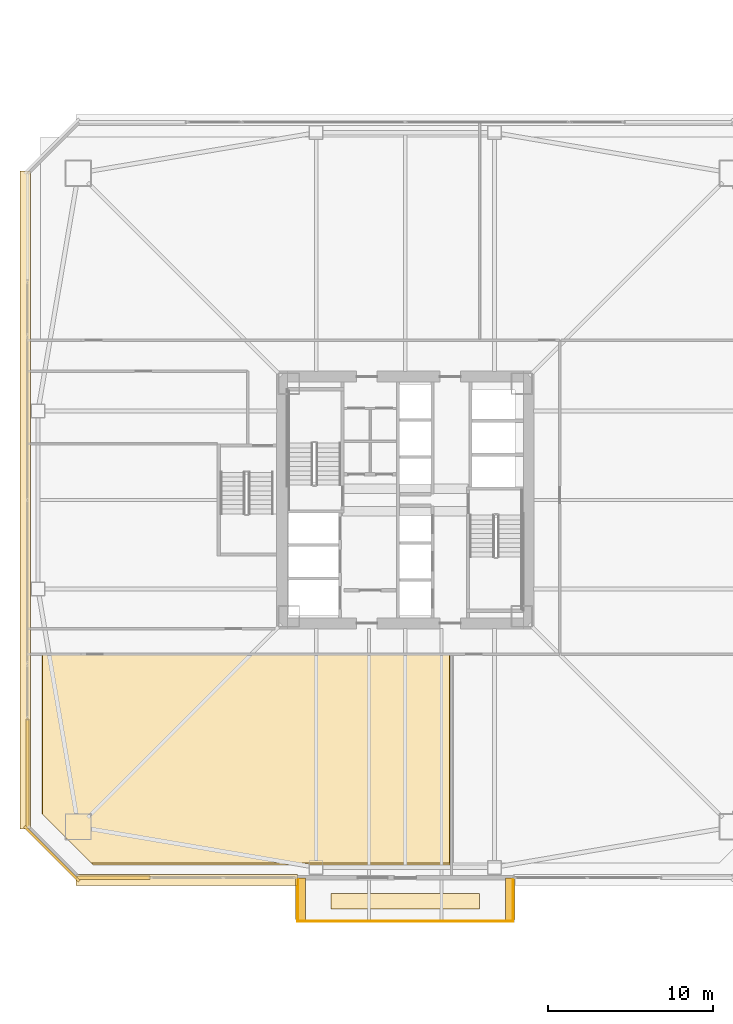
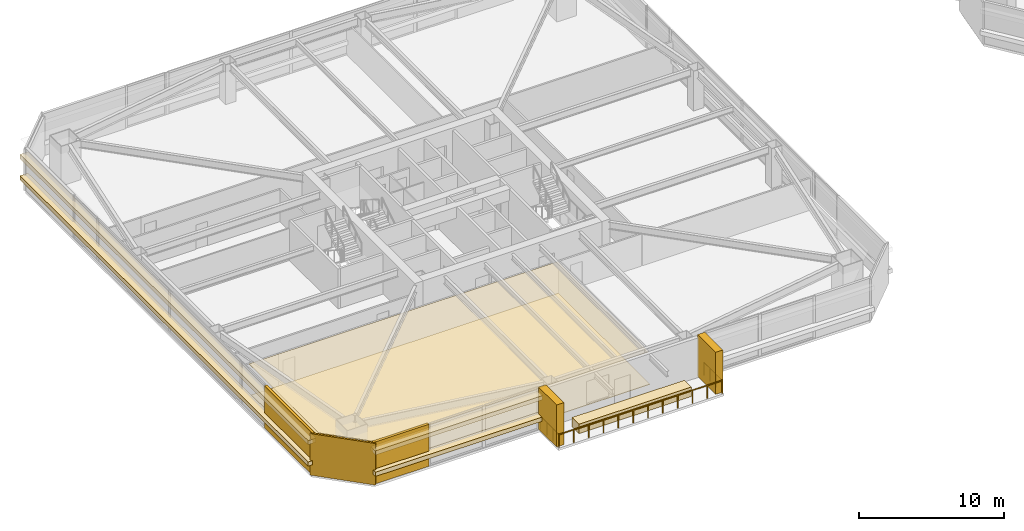
# One storey, part 41 of 46: 12 coverings, 3 railings.
"""IFC4 building model written with IfcOpenShell, lengths in metres."""

from ifc_helpers import new_model, si_unit, direction, frame, origin, origin_2d, place, context, subcontext, project, spatial, polyline, rectangle, outline, extrude, material, layer, layer_set, type_object, element, save


model = new_model("IFC4")

# Units and contexts
model_context = context("Model", 3, precision=1e-05, world=origin(), true_north=direction((0.0, 1.0)))
body_context = subcontext(model_context, "Body", "Model", "MODEL_VIEW")
ifc_project = project(units=[si_unit("LENGTHUNIT", "METRE"), si_unit("AREAUNIT", "SQUARE_METRE"), si_unit("VOLUMEUNIT", "CUBIC_METRE"), si_unit("PLANEANGLEUNIT", "RADIAN"), si_unit("MASSUNIT", "GRAM", prefix="KILO")], contexts=[model_context])

# Site, building, storey
site_placement = place(None, origin())
site = spatial("IfcSite", under=ifc_project, at=site_placement, CompositionType="ELEMENT")
building_placement = place(site_placement, origin())
building = spatial("IfcBuilding", under=site, at=building_placement, Name="Tashvorn Skyway Center", CompositionType="ELEMENT")
storey_placement = place(building_placement, frame((0.0, 0.0, 60.10009765625)))
storey = spatial("IfcBuildingStorey", under=building, at=storey_placement, Name="L15", CompositionType="ELEMENT", Elevation=60.10009765625)

# Coverings
ifc_material_1 = material(Name="Precast concrete C40/50", Category="concrete")
ifc_layer_1 = layer(ifc_material_1, 0.199951171875)
ifc_layer_set_1 = layer_set([ifc_layer_1], Name="Precast concrete C40/50")
covering_type_1 = type_object("IfcCoveringType", Name="COV-BRACE-CLAD", PredefinedType="CLADDING", material=ifc_layer_set_1)
covering_1_placement = place(storey_placement, frame((24.333251953125, 9.1201171875, 0.0), z_axis=(0.0, 0.0, 1.0), x_axis=(-1.0, 0.0, 0.0)))
element("IfcCovering", 1, at=covering_1_placement, inside=storey, type_object=covering_type_1, Name="Tower 1 L15 South Curtain Wall R Mega-Brace Cladding Band 1", PredefinedType="CLADDING", context=body_context, shape_type="SweptSolid", body=[
    extrude(rectangle(XDim=4.4267578125, YDim=0.199951171875, at=origin_2d()), origin(), (0.0, 0.0, 1.0), 3.550048828125),
])
covering_2_placement = place(storey_placement, frame((19.1201171875, 15.433349609375, 0.0), z_axis=(0.0, 0.0, 1.0), x_axis=(0.0, 1.0, 0.0)))
element("IfcCovering", 2, at=covering_2_placement, inside=storey, type_object=covering_type_1, Name="Tower 1 L15 West Unitised Curtain Wall Mega-Brace Cladding Band 1", PredefinedType="CLADDING", context=body_context, shape_type="SweptSolid", body=[
    extrude(rectangle(XDim=6.626708984375, YDim=0.199951171875, at=origin_2d()), origin(), (0.0, 0.0, 1.0), 3.550048828125),
])
ifc_material_2 = material(Name="Mineral-fibre acoustic ceiling tile on suspended grid")
ifc_layer_2 = layer(ifc_material_2, 0.02001953125)
ifc_layer_set_2 = layer_set([ifc_layer_2], Name="Mineral-fibre acoustic ceiling tile on suspended grid")
covering_type_2 = type_object("IfcCoveringType", Name="COV-CEIL-20", PredefinedType="CEILING", material=ifc_layer_set_2)
covering_3_placement = place(storey_placement, frame((0.0, 0.0, 2.682861328125)))
element("IfcCovering", 3, at=covering_3_placement, inside=storey, type_object=covering_type_2, Name="Tower 1 L15 Wellness Clinic Acoustic Ceiling", PredefinedType="CEILING", context=body_context, shape_type="SweptSolid", body=[
    extrude(outline(polyline([(20.02001953125, 22.610107421875), (44.679931640625, 22.610107421875), (44.679931640625, 10.02001953125), (22.97998046875, 10.02001953125), (20.02001953125, 12.97998046875), (20.02001953125, 22.610107421875)])), origin(), (0.0, 0.0, 1.0), 0.02001953125),
])
ifc_material_3 = material(Name="Polished Mojave desert-aggregate terrazzo and cover plate")
ifc_layer_3 = layer(ifc_material_3, 0.0400390625)
ifc_layer_set_3 = layer_set([ifc_layer_3], Name="Polished Mojave desert-aggregate terrazzo and cover plate")
covering_type_3 = type_object("IfcCoveringType", Name="COV-FLR-40", PredefinedType="FLOORING", material=ifc_layer_set_3)
covering_4_placement = place(storey_placement, origin())
element("IfcCovering", 4, at=covering_4_placement, inside=storey, type_object=covering_type_3, Name="Tower 1 L15 Wellness Clinic Finish Flooring", PredefinedType="FLOORING", context=body_context, shape_type="SweptSolid", body=[
    extrude(outline(polyline([(23.10009765625, 9.89990234375), (19.97998046875, 13.02001953125), (19.97998046875, 22.570068359375), (44.719970703125, 22.570068359375), (44.719970703125, 9.89990234375), (23.10009765625, 9.89990234375)])), origin(), (0.0, 0.0, 1.0), 0.039794921875),
])
ifc_material_4 = material(Name="Perforated ceramic-coated bronze aluminium solar screen", Category="aluminium")
ifc_layer_4 = layer(ifc_material_4, 0.85009765625)
ifc_layer_set_4 = layer_set([ifc_layer_4], Name="Perforated ceramic-coated bronze aluminium solar screen")
covering_type_4 = type_object("IfcCoveringType", Name="COV-SOLAR-BAND", PredefinedType="CLADDING", material=ifc_layer_set_4)
for number, where, z_axis, x_axis, name in (
    (5, (28.760009765625, 8.97998046875, 0.919921875), (0.0, 0.0, 1.0), (-1.0, 0.0, 0.0), "L15 Perforated Ceramic-Metal Solar Screen Louvre Band South 1"),
    (6, (28.760009765625, 8.97998046875, 2.7197265625), (0.0, 0.0, 1.0), (-1.0, 0.0, 0.0), "L15 Perforated Ceramic-Metal Solar Screen Louvre Band South 2"),
):
    element("IfcCovering", number, at=place(storey_placement, frame(where, z_axis=z_axis, x_axis=x_axis)), inside=storey, type_object=covering_type_4, Name=name, PredefinedType="CLADDING", context=body_context, shape_type="SweptSolid", body=[
        extrude(rectangle(XDim=13.39990234375, YDim=0.639892578125, at=origin_2d()), origin(), (0.0, 0.0, 1.0), 0.360107421875),
    ])
for number, where, z_axis, x_axis, name in (
    (7, (18.97998046875, 32.0, 0.919921875), (0.0, 0.0, 1.0), (0.0, 1.0, 0.0), "L15 Perforated Ceramic-Metal Solar Screen Louvre Band West 1"),
    (8, (18.97998046875, 32.0, 2.7197265625), (0.0, 0.0, 1.0), (0.0, 1.0, 0.0), "L15 Perforated Ceramic-Metal Solar Screen Louvre Band West 2"),
):
    element("IfcCovering", number, at=place(storey_placement, frame(where, z_axis=z_axis, x_axis=x_axis)), inside=storey, type_object=covering_type_4, Name=name, PredefinedType="CLADDING", context=body_context, shape_type="SweptSolid", body=[
        extrude(rectangle(XDim=39.8798828125, YDim=0.639892578125, at=origin_2d()), origin(), (0.0, 0.0, 1.0), 0.360107421875),
    ])
ifc_layer_5 = layer(ifc_material_1, 0.35009765625)
ifc_layer_set_5 = layer_set([ifc_layer_5], Name="Precast concrete C40/50")
covering_type_5 = type_object("IfcCoveringType", Name="COV-STONE-TRIM", PredefinedType="CLADDING", material=ifc_layer_set_5)
for number, where, z_axis, x_axis, name in (
    (9, (48.35009765625, 7.85009765625, 0.0), (0.0, 0.0, 1.0), (-1.0, 0.0, 0.0), "Tower 1 L15 Sky Garden Loggia Pier L"),
    (10, (35.64990234375, 7.85009765625, 0.0), (0.0, 0.0, 1.0), (-1.0, 0.0, 0.0), "Tower 1 L15 Sky Garden Loggia Pier R"),
):
    element("IfcCovering", number, at=place(storey_placement, frame(where, z_axis=z_axis, x_axis=x_axis)), inside=storey, type_object=covering_type_5, Name=name, PredefinedType="CLADDING", context=body_context, shape_type="SweptSolid", body=[
        extrude(rectangle(XDim=0.580078125, YDim=2.5, at=origin_2d()), origin(), (0.0, 0.0, 1.0), 3.550048828125),
    ])
covering_5_placement = place(storey_placement, frame((42.0, 7.699951171875, 0.0), z_axis=(0.0, 0.0, 1.0), x_axis=(-1.0, 0.0, 0.0)))
element("IfcCovering", 11, at=covering_5_placement, inside=storey, type_object=covering_type_5, Name="Tower 1 L15 Sky Garden Stone Planter Bed", PredefinedType="CLADDING", context=body_context, shape_type="SweptSolid", body=[
    extrude(rectangle(XDim=8.97607421875, YDim=0.949951171875, at=origin_2d()), origin(), (0.0, 0.0, 1.0), 0.800048828125),
])
covering_6_placement = place(storey_placement, frame((20.580078125, 10.580078125, 0.02001953125), z_axis=(0.0, 0.0, 1.0), x_axis=(-0.707106781187, 0.707106781187, 0.0)))
element("IfcCovering", 12, at=covering_6_placement, inside=storey, type_object=covering_type_5, Name="Tower 1 L15 SW Mojave Limestone Corner Quoin", PredefinedType="CLADDING", context=body_context, shape_type="SweptSolid", body=[
    extrude(rectangle(XDim=4.685546875, YDim=0.139892578125, at=origin_2d()), origin(), (0.0, 0.0, 1.0), 3.510009765625),
])

# Railings
ifc_material_5 = material(Name="Galvanized steel S355", Category="steel")
railing_type = type_object("IfcRailingType", Name="RAIL-GUARD-1120", PredefinedType="GUARDRAIL", material=ifc_material_5)
railing_1_placement = place(storey_placement, frame((35.47998046875, 9.0, 0.0)))
element("IfcRailing", 13, at=railing_1_placement, inside=storey, type_object=railing_type, Name="L15 Tower 1 Terrace Guardrail 01", PredefinedType="GUARDRAIL", context=body_context, shape_type="SweptSolid", body=[
    extrude(rectangle(XDim=0.048095703125, YDim=0.048095703125, at=origin_2d()), frame((0.0, 0.0, 1.09619140625), z_axis=(0.0, -1.0, 0.0), x_axis=(1.0, 0.0, 0.0)), (0.0, 0.0, 1.0), 2.52001953125),
    extrude(rectangle(XDim=0.0419921875, YDim=0.0419921875, at=origin_2d()), origin(), (0.0, 0.0, 1.0), 1.072021484375),
    extrude(rectangle(XDim=0.0419921875, YDim=0.0419921875, at=origin_2d()), frame((0.0, -0.840087890625, 0.0)), (0.0, 0.0, 1.0), 1.072021484375),
    extrude(rectangle(XDim=0.0419921875, YDim=0.0419921875, at=origin_2d()), frame((0.0, -1.679931640625, 0.0)), (0.0, 0.0, 1.0), 1.072021484375),
    extrude(rectangle(XDim=0.0419921875, YDim=0.0419921875, at=origin_2d()), frame((0.0, -2.52001953125, 0.0)), (0.0, 0.0, 1.0), 1.072021484375),
])
railing_2_placement = place(storey_placement, frame((35.47998046875, 6.47998046875, 0.0)))
element("IfcRailing", 14, at=railing_2_placement, inside=storey, type_object=railing_type, Name="L15 Tower 1 Terrace Guardrail 02", PredefinedType="GUARDRAIL", context=body_context, shape_type="SweptSolid", body=[
    extrude(rectangle(XDim=0.048095703125, YDim=0.048095703125, at=origin_2d()), frame((0.0, 0.0, 1.09619140625), z_axis=(1.0, 0.0, 0.0), x_axis=(0.0, 1.0, 0.0)), (0.0, 0.0, 1.0), 13.0400390625),
    extrude(rectangle(XDim=0.0419921875, YDim=0.0419921875, at=origin_2d()), origin(), (0.0, 0.0, 1.0), 1.072021484375),
    extrude(rectangle(XDim=0.0419921875, YDim=0.0419921875, at=origin_2d()), frame((1.185546875, 0.0, 0.0)), (0.0, 0.0, 1.0), 1.072021484375),
    extrude(rectangle(XDim=0.0419921875, YDim=0.0419921875, at=origin_2d()), frame((2.370849609375, 0.0, 0.0)), (0.0, 0.0, 1.0), 1.072021484375),
    extrude(rectangle(XDim=0.0419921875, YDim=0.0419921875, at=origin_2d()), frame((3.556396484375, 0.0, 0.0)), (0.0, 0.0, 1.0), 1.072021484375),
    extrude(rectangle(XDim=0.0419921875, YDim=0.0419921875, at=origin_2d()), frame((4.741943359375, 0.0, 0.0)), (0.0, 0.0, 1.0), 1.072021484375),
    extrude(rectangle(XDim=0.0419921875, YDim=0.0419921875, at=origin_2d()), frame((5.92724609375, 0.0, 0.0)), (0.0, 0.0, 1.0), 1.072021484375),
    extrude(rectangle(XDim=0.0419921875, YDim=0.0419921875, at=origin_2d()), frame((7.11279296875, 0.0, 0.0)), (0.0, 0.0, 1.0), 1.072021484375),
    extrude(rectangle(XDim=0.0419921875, YDim=0.0419921875, at=origin_2d()), frame((8.298095703125, 0.0, 0.0)), (0.0, 0.0, 1.0), 1.072021484375),
    extrude(rectangle(XDim=0.0419921875, YDim=0.0419921875, at=origin_2d()), frame((9.483642578125, 0.0, 0.0)), (0.0, 0.0, 1.0), 1.072021484375),
    extrude(rectangle(XDim=0.0419921875, YDim=0.0419921875, at=origin_2d()), frame((10.669189453125, 0.0, 0.0)), (0.0, 0.0, 1.0), 1.072021484375),
    extrude(rectangle(XDim=0.0419921875, YDim=0.0419921875, at=origin_2d()), frame((11.8544921875, 0.0, 0.0)), (0.0, 0.0, 1.0), 1.072021484375),
    extrude(rectangle(XDim=0.0419921875, YDim=0.0419921875, at=origin_2d()), frame((13.0400390625, 0.0, 0.0)), (0.0, 0.0, 1.0), 1.072021484375),
])
railing_3_placement = place(storey_placement, frame((48.52001953125, 6.47998046875, 0.0)))
element("IfcRailing", 15, at=railing_3_placement, inside=storey, type_object=railing_type, Name="L15 Tower 1 Terrace Guardrail 03", PredefinedType="GUARDRAIL", context=body_context, shape_type="SweptSolid", body=[
    extrude(rectangle(XDim=0.048095703125, YDim=0.048095703125, at=origin_2d()), frame((0.0, 0.0, 1.09619140625), z_axis=(0.0, 1.0, 0.0), x_axis=(-1.0, 0.0, 0.0)), (0.0, 0.0, 1.0), 2.52001953125),
    extrude(rectangle(XDim=0.0419921875, YDim=0.0419921875, at=origin_2d()), origin(), (0.0, 0.0, 1.0), 1.072021484375),
    extrude(rectangle(XDim=0.0419921875, YDim=0.0419921875, at=origin_2d()), frame((0.0, 0.840087890625, 0.0)), (0.0, 0.0, 1.0), 1.072021484375),
    extrude(rectangle(XDim=0.0419921875, YDim=0.0419921875, at=origin_2d()), frame((0.0, 1.679931640625, 0.0)), (0.0, 0.0, 1.0), 1.072021484375),
    extrude(rectangle(XDim=0.0419921875, YDim=0.0419921875, at=origin_2d()), frame((0.0, 2.52001953125, 0.0)), (0.0, 0.0, 1.0), 1.072021484375),
])

save(model, "model.ifc")
